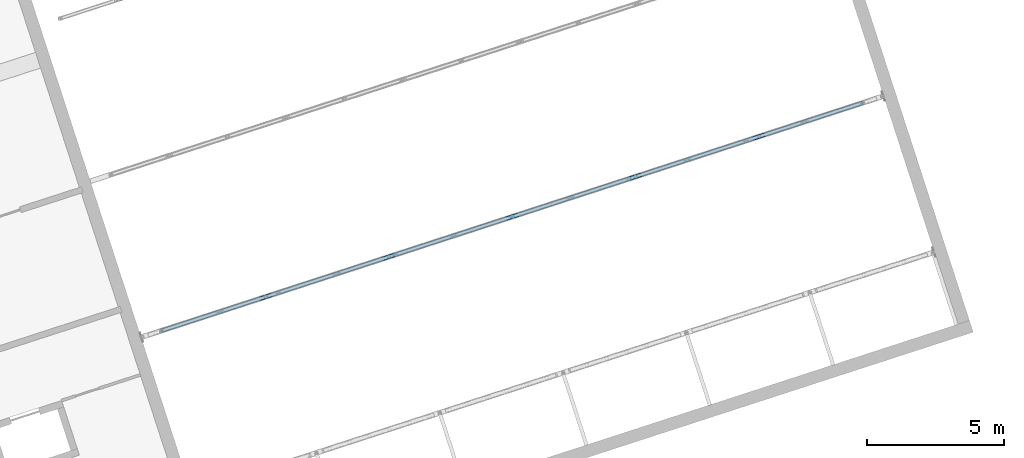
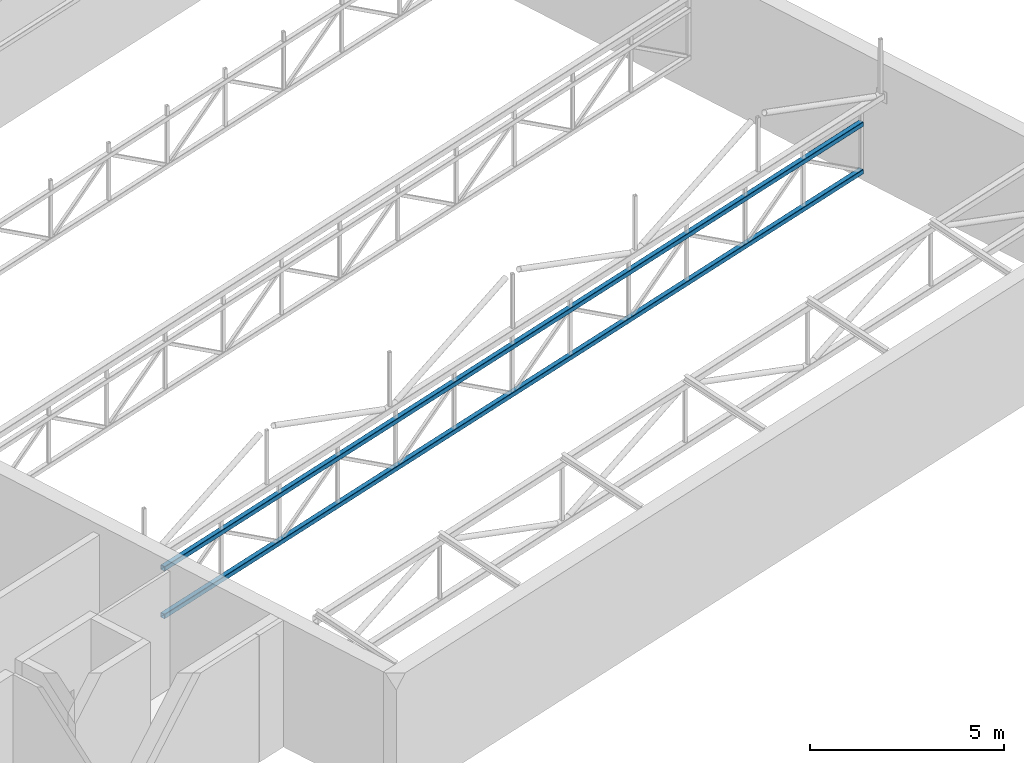
# One storey, part 14 of 81: 2 members.
"""IFC4 building model written with IfcOpenShell, lengths in metres."""

import ifcopenshell
import ifcopenshell.guid

model = None  # the IFC model being written
_history = None  # IfcOwnerHistory: only IFC2X3 demands one
_inside = {}  # id of a spatial element -> (the spatial element, [elements in it])
_under = {}  # id of a project, library or spatial element -> (it, [spatial elements below it])
_declared = {}  # id of a project -> (the project, [libraries it declares])
_typed = {}  # id of a type object -> (the type object, [elements of that type])
_made_of = {}  # id of a material, layer set ... -> (it, [elements and type objects made of it])


def new_model(schema):
    """Start an empty IFC model of exactly this schema.

    Asked for "IFC4X3", IfcOpenShell would pick the latest addendum, in which some entities
    have other attributes; the version numbers below select the first issue.
    IFC2X3 requires an IfcOwnerHistory on every rooted entity: one is made here for all.
    """
    global model, _history
    if schema == "IFC4X3":
        model = ifcopenshell.file(schema_version=(4, 3, 0, 0))
    else:
        model = ifcopenshell.file(schema=schema)
    _inside.clear()
    _under.clear()
    _declared.clear()
    _typed.clear()
    _made_of.clear()
    _history = None
    if model.schema == "IFC2X3":
        org = make("IfcOrganization", Name="unknown")
        user = make(
            "IfcPersonAndOrganization",
            ThePerson=make("IfcPerson", FamilyName="unknown"),
            TheOrganization=org,
        )
        app = make(
            "IfcApplication",
            ApplicationDeveloper=org,
            Version="unknown",
            ApplicationFullName="unknown",
            ApplicationIdentifier="unknown",
        )
        _history = make(
            "IfcOwnerHistory",
            OwningUser=user,
            OwningApplication=app,
            ChangeAction="ADDED",
            CreationDate=0,
        )
    return model


def make(cls, **values):
    """One entity of the class cls with the attributes given. An attribute that is None is left unset."""
    return model.create_entity(
        cls, **{name: value for name, value in values.items() if value is not None}
    )


def rooted(cls, **values):
    """An entity with a GlobalId (a new one), such as an element, a storey or a relation."""
    return make(cls, GlobalId=ifcopenshell.guid.new(), OwnerHistory=_history, **values)


def si_unit(unit_type, name, prefix=None):
    """IfcSIUnit, for example si_unit("LENGTHUNIT", "METRE", prefix="MILLI")."""
    return make("IfcSIUnit", UnitType=unit_type, Prefix=prefix, Name=name)


def assignment(units):
    """IfcUnitAssignment: the units of a project."""
    return None if units is None else make("IfcUnitAssignment", Units=units)


def point(xyz):
    """IfcCartesianPoint."""
    return None if xyz is None else make("IfcCartesianPoint", Coordinates=xyz)


def direction(xyz):
    """IfcDirection."""
    return None if xyz is None else make("IfcDirection", DirectionRatios=xyz)


def frame(location, z_axis=None, x_axis=None):
    """IfcAxis2Placement3D, a coordinate frame: its origin and axes. An axis left out is left unset."""
    return make(
        "IfcAxis2Placement3D",
        Location=point(location),
        Axis=direction(z_axis),
        RefDirection=direction(x_axis),
    )


def frame_2d(location, x_axis=None):
    """IfcAxis2Placement2D, a coordinate frame in the plane: its origin and x axis."""
    return make(
        "IfcAxis2Placement2D", Location=point(location), RefDirection=direction(x_axis)
    )


def origin():
    """The frame at (0, 0, 0) with its axes left unset."""
    return frame((0.0, 0.0, 0.0))


def origin_2d():
    """The frame at (0, 0) in the plane with its x axis left unset."""
    return frame_2d((0.0, 0.0))


def place(relative_to, where):
    """IfcLocalPlacement: puts the frame where relative to a parent placement (None: the world)."""
    return make(
        "IfcLocalPlacement", PlacementRelTo=relative_to, RelativePlacement=where
    )


def context(
    kind, dimensions, precision=None, world=None, true_north=None, identifier=None
):
    """IfcGeometricRepresentationContext, for example the 3D "Model" context."""
    return make(
        "IfcGeometricRepresentationContext",
        ContextIdentifier=identifier,
        ContextType=kind,
        CoordinateSpaceDimension=dimensions,
        Precision=precision,
        WorldCoordinateSystem=world,
        TrueNorth=true_north,
    )


def subcontext(parent, identifier, kind, view, scale=None):
    """IfcGeometricRepresentationSubContext, for example "Body" below "Model"."""
    return make(
        "IfcGeometricRepresentationSubContext",
        ContextIdentifier=identifier,
        ContextType=kind,
        ParentContext=parent,
        TargetScale=scale,
        TargetView=view,
    )


def project(units=None, contexts=None):
    """IfcProject with its units and contexts."""
    return rooted(
        "IfcProject",
        Name="project",
        RepresentationContexts=contexts,
        UnitsInContext=assignment(units),
    )


def spatial(cls, under=None, at=None, **own):
    """A site, building, storey or space (cls), placed at a placement, below another one or the project."""
    s = rooted(cls, ObjectPlacement=at, **own)
    if under is not None:
        _under.setdefault(under.id(), (under, []))[1].append(s)
    return s


def profile(cls, at=None, kind="AREA", **sizes):
    """A parametric profile (cls). Its sizes go by their IFC names, for example OverallWidth=200.0."""
    return make(cls, ProfileType=kind, Position=at, **sizes)


def hollow_rectangle(**sizes):
    """IfcRectangleHollowProfileDef."""
    return profile("IfcRectangleHollowProfileDef", **sizes)


def extrude(swept, where, along, depth):
    """IfcExtrudedAreaSolid: the profile swept, set in the frame where, extruded along a direction by depth."""
    return make(
        "IfcExtrudedAreaSolid",
        SweptArea=swept,
        Position=where,
        ExtrudedDirection=direction(along),
        Depth=depth,
    )


def shape(context_of_items, identifier, shape_type, items):
    """IfcShapeRepresentation: the items that make up one representation, for example the "Body"."""
    return make(
        "IfcShapeRepresentation",
        ContextOfItems=context_of_items,
        RepresentationIdentifier=identifier,
        RepresentationType=shape_type,
        Items=items,
    )


def material(Name=None, Category=None):
    """IfcMaterial."""
    return make("IfcMaterial", Name=Name, Category=Category)


def material_profile(
    of_material, cross_section, Name=None, Category=None, Priority=None
):
    """IfcMaterialProfile: a cross section and its material."""
    return make(
        "IfcMaterialProfile",
        Name=Name,
        Material=of_material,
        Profile=cross_section,
        Priority=Priority,
        Category=Category,
    )


def profile_set(profiles, Name=None, composite=None):
    """IfcMaterialProfileSet."""
    return make(
        "IfcMaterialProfileSet",
        Name=Name,
        MaterialProfiles=profiles,
        CompositeProfile=composite,
    )


def made_of(thing, what):
    """Note that an element or type object is made of a material, layer set ...; save() writes the relation."""
    if what is not None:
        _made_of.setdefault(what.id(), (what, []))[1].append(thing)
    return thing


def type_object(cls, material=None, **own):
    """A type object (cls), such as IfcWallType, which elements share."""
    return made_of(rooted(cls, **own), material)


def element(
    cls,
    number,
    at=None,
    inside=None,
    cuts=None,
    type_object=None,
    material=None,
    context=None,
    identifier="Body",
    shape_type=None,
    held_by="IfcProductDefinitionShape",
    body=None,
    shapes=None,
    **own,
):
    """One element of the class cls, such as IfcWall. Its Tag is "e" and its number.

    at: its placement. inside: the storey or other place that contains it. cuts: it is an
    opening in that element (IfcRelVoidsElement). A single representation is given by context,
    identifier, shape_type and body (its items); several are given by shapes. held_by: the class
    of the entity that holds the representations. save() writes the other relations.
    """
    e = rooted(cls, Tag="e%d" % number, ObjectPlacement=at, **own)
    if body is not None:
        shapes = [shape(context, identifier, shape_type, body)]
    if shapes is not None:
        e.Representation = make(held_by, Representations=shapes)
    if inside is not None:
        _inside.setdefault(inside.id(), (inside, []))[1].append(e)
    if cuts is not None:
        rooted(
            "IfcRelVoidsElement", RelatingBuildingElement=cuts, RelatedOpeningElement=e
        )
    if type_object is not None:
        _typed.setdefault(type_object.id(), (type_object, []))[1].append(e)
    return made_of(e, material)


def aggregate(whole, parts):
    """IfcRelAggregates: a whole, such as a stair, and the parts it consists of."""
    return rooted("IfcRelAggregates", RelatingObject=whole, RelatedObjects=parts)


def save(model, path):
    """Write the relations noted so far, then the file.

    IfcRelAggregates (storeys below a building ...), IfcRelContainedInSpatialStructure (elements
    in a storey), IfcRelDefinesByType, IfcRelAssociatesMaterial and IfcRelDeclares: one each for
    every whole, place, type object, material and project.
    """
    for whole, parts in _under.values():
        aggregate(whole, parts)
    for where, things in _inside.values():
        rooted(
            "IfcRelContainedInSpatialStructure",
            RelatedElements=things,
            RelatingStructure=where,
        )
    for kind, things in _typed.values():
        rooted("IfcRelDefinesByType", RelatedObjects=things, RelatingType=kind)
    for what, things in _made_of.values():
        rooted("IfcRelAssociatesMaterial", RelatedObjects=things, RelatingMaterial=what)
    for by, libraries in _declared.values():
        rooted("IfcRelDeclares", RelatingContext=by, RelatedDefinitions=libraries)
    model.write(path)


model = new_model("IFC4")

# Units and contexts
model_context = context("Model", 3, precision=1e-05, world=origin(), true_north=direction((0.0, 1.0)))
body_context = subcontext(model_context, "Body", "Model", "MODEL_VIEW")
ifc_project = project(units=[si_unit("LENGTHUNIT", "METRE"), si_unit("AREAUNIT", "SQUARE_METRE"), si_unit("VOLUMEUNIT", "CUBIC_METRE"), si_unit("PLANEANGLEUNIT", "RADIAN"), si_unit("MASSUNIT", "GRAM", prefix="KILO")], contexts=[model_context])

# Site, building, storey
site_placement = place(None, origin())
site = spatial("IfcSite", under=ifc_project, at=site_placement, CompositionType="ELEMENT")
building_placement = place(site_placement, origin())
building = spatial("IfcBuilding", under=site, at=building_placement, Name="Tuart Plaza Theatre", CompositionType="ELEMENT")
storey_placement = place(building_placement, frame((0.0, 0.0, 17.5)))
storey = spatial("IfcBuildingStorey", under=building, at=storey_placement, Name="L04", CompositionType="ELEMENT", Elevation=17.5)

# Members
ifc_material = material(Name="Steel Grade C350L0", Category="steel")
ifc_material_profile = material_profile(ifc_material, hollow_rectangle(XDim=0.14990234375, YDim=0.14990234375, WallThickness=0.009033203125, InnerFilletRadius=0.009033203125, OuterFilletRadius=0.01806640625, at=origin_2d()), Name="150x150x9 SHS")
ifc_profile_set = profile_set([ifc_material_profile], Name="Steel Grade C350L0")
member_type = type_object("IfcMemberType", Name="MEMBER Chord 150x150x9 SHS", PredefinedType="CHORD", material=ifc_profile_set)
for number, where, z_axis, x_axis, name in (
    (1, (48.169921875, 50.868408203125, 1.0244140625), (0.951054418992, 0.309023449136, 0.0), (-0.309023449136, 0.951054418992, 0.0), "CH28"),
    (2, (48.169921875, 50.868408203125, 2.5244140625), (0.951054418992, 0.309023449136, 0.0), (-0.309023449136, 0.951054418992, 0.0), "CH29"),
):
    element("IfcMember", number, at=place(storey_placement, frame(where, z_axis=z_axis, x_axis=x_axis)), inside=storey, type_object=member_type, Name=name, PredefinedType="CHORD", context=body_context, shape_type="SweptSolid", body=[
        extrude(hollow_rectangle(XDim=0.14990234375, YDim=0.14990234375, WallThickness=0.009033203125, InnerFilletRadius=0.009033203125, OuterFilletRadius=0.01806640625, at=origin_2d()), origin(), (0.0, 0.0, 1.0), 26.97509765625),
    ])

save(model, "model.ifc")
